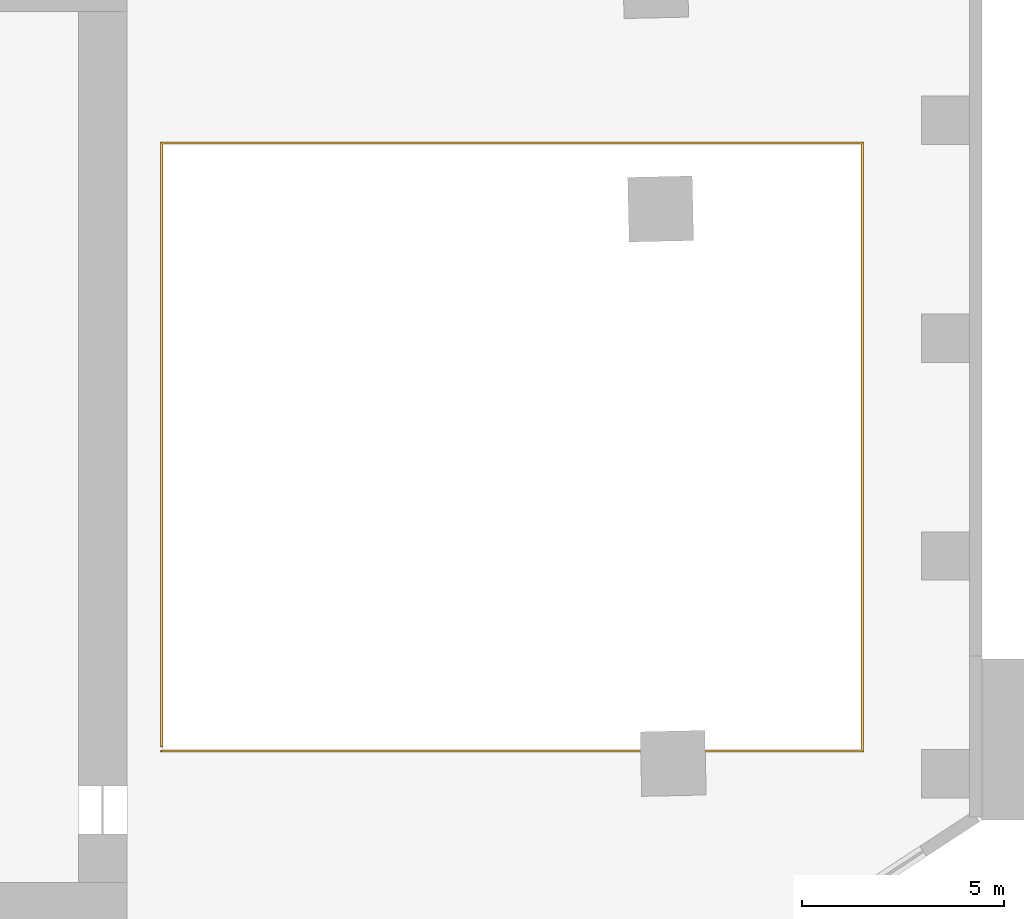
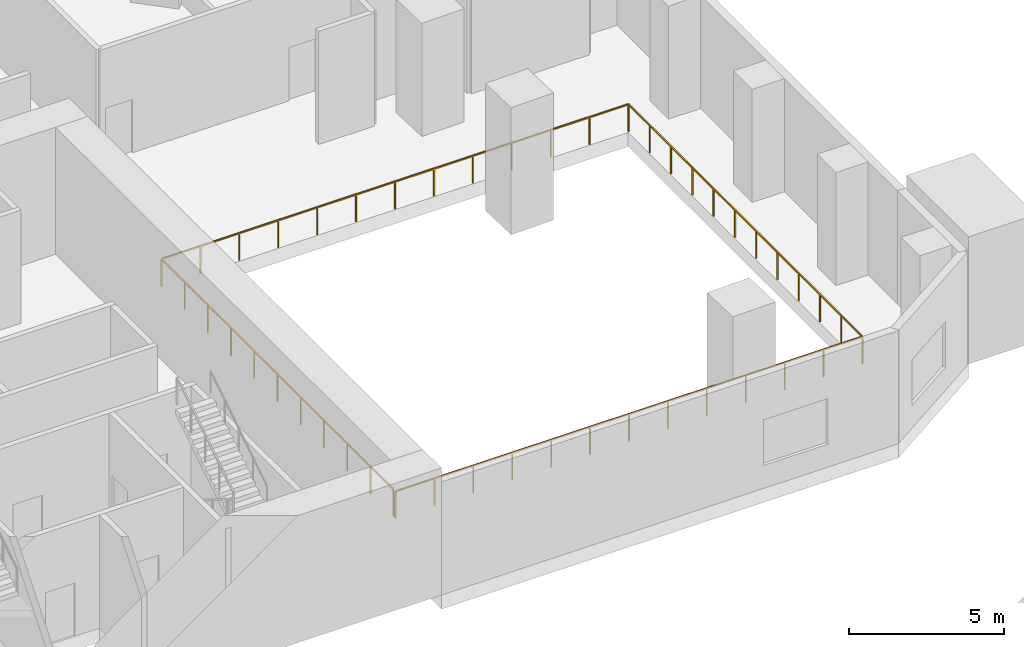
# One storey, part 11 of 11: 1 railing.
"""IFC4 building model written with IfcOpenShell, lengths in metres."""

from ifc_helpers import new_model, si_unit, direction, frame, origin, origin_2d, place, context, subcontext, project, spatial, rectangle, extrude, material, type_object, element, save


model = new_model("IFC4")

# Units and contexts
model_context = context("Model", 3, precision=1e-05, world=origin(), true_north=direction((0.0, 1.0)))
body_context = subcontext(model_context, "Body", "Model", "MODEL_VIEW")
ifc_project = project(units=[si_unit("LENGTHUNIT", "METRE"), si_unit("AREAUNIT", "SQUARE_METRE"), si_unit("VOLUMEUNIT", "CUBIC_METRE"), si_unit("PLANEANGLEUNIT", "RADIAN"), si_unit("MASSUNIT", "GRAM", prefix="KILO")], contexts=[model_context])

# Site, building, storey
site_placement = place(None, origin())
site = spatial("IfcSite", under=ifc_project, at=site_placement, CompositionType="ELEMENT")
building_placement = place(site_placement, origin())
building = spatial("IfcBuilding", under=site, at=building_placement, Name="Mangrove Gate Tower", CompositionType="ELEMENT")
storey_placement = place(building_placement, frame((0.0, 0.0, 6.0)))
storey = spatial("IfcBuildingStorey", under=building, at=storey_placement, Name="L01", CompositionType="ELEMENT", Elevation=6.0)

# Railing
ifc_material = material(Name="Stainless steel grade 316 with laminated glass infill", Category="steel")
railing_type = type_object("IfcRailingType", Name="Balcony guard 1100", PredefinedType="GUARDRAIL", material=ifc_material)
railing_placement = place(storey_placement, frame((15.860107421875, -7.5400390625, 0.0)))
element("IfcRailing", 1, at=railing_placement, inside=storey, type_object=railing_type, Name="GUARD L01 atrium", PredefinedType="GUARDRAIL", context=body_context, shape_type="SweptSolid", body=[
    extrude(rectangle(XDim=0.048095703125, YDim=0.048095703125, at=origin_2d()), frame((0.0, 0.0, 1.076171875), z_axis=(1.0, 0.0, 0.0), x_axis=(0.0, 1.0, 0.0)), (0.0, 0.0, 1.0), 17.3798828125),
    extrude(rectangle(XDim=0.048095703125, YDim=0.048095703125, at=origin_2d()), frame((17.3798828125, 0.0, 1.076171875), z_axis=(0.0, 1.0, 0.0), x_axis=(-1.0, 0.0, 0.0)), (0.0, 0.0, 1.0), 15.080078125),
    extrude(rectangle(XDim=0.048095703125, YDim=0.048095703125, at=origin_2d()), frame((17.3798828125, 15.080078125, 1.076171875), z_axis=(-1.0, 0.0, 0.0), x_axis=(0.0, -1.0, 0.0)), (0.0, 0.0, 1.0), 17.3798828125),
    extrude(rectangle(XDim=0.048095703125, YDim=0.048095703125, at=origin_2d()), frame((0.0, 15.080078125, 1.076171875), z_axis=(0.0, -1.0, 0.0), x_axis=(1.0, 0.0, 0.0)), (0.0, 0.0, 1.0), 14.9599609375),
    extrude(rectangle(XDim=0.0419921875, YDim=0.0419921875, at=origin_2d()), origin(), (0.0, 0.0, 1.0), 1.052001953125),
    extrude(rectangle(XDim=0.0419921875, YDim=0.0419921875, at=origin_2d()), frame((1.4482421875, 0.0, 0.0)), (0.0, 0.0, 1.0), 1.052001953125),
    extrude(rectangle(XDim=0.0419921875, YDim=0.0419921875, at=origin_2d()), frame((2.896728515625, 0.0, 0.0)), (0.0, 0.0, 1.0), 1.052001953125),
    extrude(rectangle(XDim=0.0419921875, YDim=0.0419921875, at=origin_2d()), frame((4.344970703125, 0.0, 0.0)), (0.0, 0.0, 1.0), 1.052001953125),
    extrude(rectangle(XDim=0.0419921875, YDim=0.0419921875, at=origin_2d()), frame((5.793212890625, 0.0, 0.0)), (0.0, 0.0, 1.0), 1.052001953125),
    extrude(rectangle(XDim=0.0419921875, YDim=0.0419921875, at=origin_2d()), frame((7.24169921875, 0.0, 0.0)), (0.0, 0.0, 1.0), 1.052001953125),
    extrude(rectangle(XDim=0.0419921875, YDim=0.0419921875, at=origin_2d()), frame((8.68994140625, 0.0, 0.0)), (0.0, 0.0, 1.0), 1.052001953125),
    extrude(rectangle(XDim=0.0419921875, YDim=0.0419921875, at=origin_2d()), frame((10.13818359375, 0.0, 0.0)), (0.0, 0.0, 1.0), 1.052001953125),
    extrude(rectangle(XDim=0.0419921875, YDim=0.0419921875, at=origin_2d()), frame((11.586669921875, 0.0, 0.0)), (0.0, 0.0, 1.0), 1.052001953125),
    extrude(rectangle(XDim=0.0419921875, YDim=0.0419921875, at=origin_2d()), frame((13.034912109375, 0.0, 0.0)), (0.0, 0.0, 1.0), 1.052001953125),
    extrude(rectangle(XDim=0.0419921875, YDim=0.0419921875, at=origin_2d()), frame((14.483154296875, 0.0, 0.0)), (0.0, 0.0, 1.0), 1.052001953125),
    extrude(rectangle(XDim=0.0419921875, YDim=0.0419921875, at=origin_2d()), frame((15.931640625, 0.0, 0.0)), (0.0, 0.0, 1.0), 1.052001953125),
    extrude(rectangle(XDim=0.0419921875, YDim=0.0419921875, at=origin_2d()), frame((17.3798828125, 0.0, 0.0)), (0.0, 0.0, 1.0), 1.052001953125),
    extrude(rectangle(XDim=0.0419921875, YDim=0.0419921875, at=origin_2d()), frame((17.3798828125, 1.370849609375, 0.0)), (0.0, 0.0, 1.0), 1.052001953125),
    extrude(rectangle(XDim=0.0419921875, YDim=0.0419921875, at=origin_2d()), frame((17.3798828125, 2.741943359375, 0.0)), (0.0, 0.0, 1.0), 1.052001953125),
    extrude(rectangle(XDim=0.0419921875, YDim=0.0419921875, at=origin_2d()), frame((17.3798828125, 4.11279296875, 0.0)), (0.0, 0.0, 1.0), 1.052001953125),
    extrude(rectangle(XDim=0.0419921875, YDim=0.0419921875, at=origin_2d()), frame((17.3798828125, 5.483642578125, 0.0)), (0.0, 0.0, 1.0), 1.052001953125),
    extrude(rectangle(XDim=0.0419921875, YDim=0.0419921875, at=origin_2d()), frame((17.3798828125, 6.8544921875, 0.0)), (0.0, 0.0, 1.0), 1.052001953125),
    extrude(rectangle(XDim=0.0419921875, YDim=0.0419921875, at=origin_2d()), frame((17.3798828125, 8.2255859375, 0.0)), (0.0, 0.0, 1.0), 1.052001953125),
    extrude(rectangle(XDim=0.0419921875, YDim=0.0419921875, at=origin_2d()), frame((17.3798828125, 9.596435546875, 0.0)), (0.0, 0.0, 1.0), 1.052001953125),
    extrude(rectangle(XDim=0.0419921875, YDim=0.0419921875, at=origin_2d()), frame((17.3798828125, 10.96728515625, 0.0)), (0.0, 0.0, 1.0), 1.052001953125),
    extrude(rectangle(XDim=0.0419921875, YDim=0.0419921875, at=origin_2d()), frame((17.3798828125, 12.338134765625, 0.0)), (0.0, 0.0, 1.0), 1.052001953125),
    extrude(rectangle(XDim=0.0419921875, YDim=0.0419921875, at=origin_2d()), frame((17.3798828125, 13.709228515625, 0.0)), (0.0, 0.0, 1.0), 1.052001953125),
    extrude(rectangle(XDim=0.0419921875, YDim=0.0419921875, at=origin_2d()), frame((17.3798828125, 15.080078125, 0.0)), (0.0, 0.0, 1.0), 1.052001953125),
    extrude(rectangle(XDim=0.0419921875, YDim=0.0419921875, at=origin_2d()), frame((15.931640625, 15.080078125, 0.0)), (0.0, 0.0, 1.0), 1.052001953125),
    extrude(rectangle(XDim=0.0419921875, YDim=0.0419921875, at=origin_2d()), frame((14.483154296875, 15.080078125, 0.0)), (0.0, 0.0, 1.0), 1.052001953125),
    extrude(rectangle(XDim=0.0419921875, YDim=0.0419921875, at=origin_2d()), frame((13.034912109375, 15.080078125, 0.0)), (0.0, 0.0, 1.0), 1.052001953125),
    extrude(rectangle(XDim=0.0419921875, YDim=0.0419921875, at=origin_2d()), frame((11.586669921875, 15.080078125, 0.0)), (0.0, 0.0, 1.0), 1.052001953125),
    extrude(rectangle(XDim=0.0419921875, YDim=0.0419921875, at=origin_2d()), frame((10.13818359375, 15.080078125, 0.0)), (0.0, 0.0, 1.0), 1.052001953125),
    extrude(rectangle(XDim=0.0419921875, YDim=0.0419921875, at=origin_2d()), frame((8.68994140625, 15.080078125, 0.0)), (0.0, 0.0, 1.0), 1.052001953125),
    extrude(rectangle(XDim=0.0419921875, YDim=0.0419921875, at=origin_2d()), frame((7.24169921875, 15.080078125, 0.0)), (0.0, 0.0, 1.0), 1.052001953125),
    extrude(rectangle(XDim=0.0419921875, YDim=0.0419921875, at=origin_2d()), frame((5.793212890625, 15.080078125, 0.0)), (0.0, 0.0, 1.0), 1.052001953125),
    extrude(rectangle(XDim=0.0419921875, YDim=0.0419921875, at=origin_2d()), frame((4.344970703125, 15.080078125, 0.0)), (0.0, 0.0, 1.0), 1.052001953125),
    extrude(rectangle(XDim=0.0419921875, YDim=0.0419921875, at=origin_2d()), frame((2.896728515625, 15.080078125, 0.0)), (0.0, 0.0, 1.0), 1.052001953125),
    extrude(rectangle(XDim=0.0419921875, YDim=0.0419921875, at=origin_2d()), frame((1.4482421875, 15.080078125, 0.0)), (0.0, 0.0, 1.0), 1.052001953125),
    extrude(rectangle(XDim=0.0419921875, YDim=0.0419921875, at=origin_2d()), frame((0.0, 15.080078125, 0.0)), (0.0, 0.0, 1.0), 1.052001953125),
    extrude(rectangle(XDim=0.0419921875, YDim=0.0419921875, at=origin_2d()), frame((0.0, 13.583984375, 0.0)), (0.0, 0.0, 1.0), 1.052001953125),
    extrude(rectangle(XDim=0.0419921875, YDim=0.0419921875, at=origin_2d()), frame((0.0, 12.088134765625, 0.0)), (0.0, 0.0, 1.0), 1.052001953125),
    extrude(rectangle(XDim=0.0419921875, YDim=0.0419921875, at=origin_2d()), frame((0.0, 10.592041015625, 0.0)), (0.0, 0.0, 1.0), 1.052001953125),
    extrude(rectangle(XDim=0.0419921875, YDim=0.0419921875, at=origin_2d()), frame((0.0, 9.09619140625, 0.0)), (0.0, 0.0, 1.0), 1.052001953125),
    extrude(rectangle(XDim=0.0419921875, YDim=0.0419921875, at=origin_2d()), frame((0.0, 7.60009765625, 0.0)), (0.0, 0.0, 1.0), 1.052001953125),
    extrude(rectangle(XDim=0.0419921875, YDim=0.0419921875, at=origin_2d()), frame((0.0, 6.10400390625, 0.0)), (0.0, 0.0, 1.0), 1.052001953125),
    extrude(rectangle(XDim=0.0419921875, YDim=0.0419921875, at=origin_2d()), frame((0.0, 4.608154296875, 0.0)), (0.0, 0.0, 1.0), 1.052001953125),
    extrude(rectangle(XDim=0.0419921875, YDim=0.0419921875, at=origin_2d()), frame((0.0, 3.112060546875, 0.0)), (0.0, 0.0, 1.0), 1.052001953125),
    extrude(rectangle(XDim=0.0419921875, YDim=0.0419921875, at=origin_2d()), frame((0.0, 1.6162109375, 0.0)), (0.0, 0.0, 1.0), 1.052001953125),
    extrude(rectangle(XDim=0.0419921875, YDim=0.0419921875, at=origin_2d()), frame((0.0, 0.1201171875, 0.0)), (0.0, 0.0, 1.0), 1.052001953125),
])

save(model, "model.ifc")
